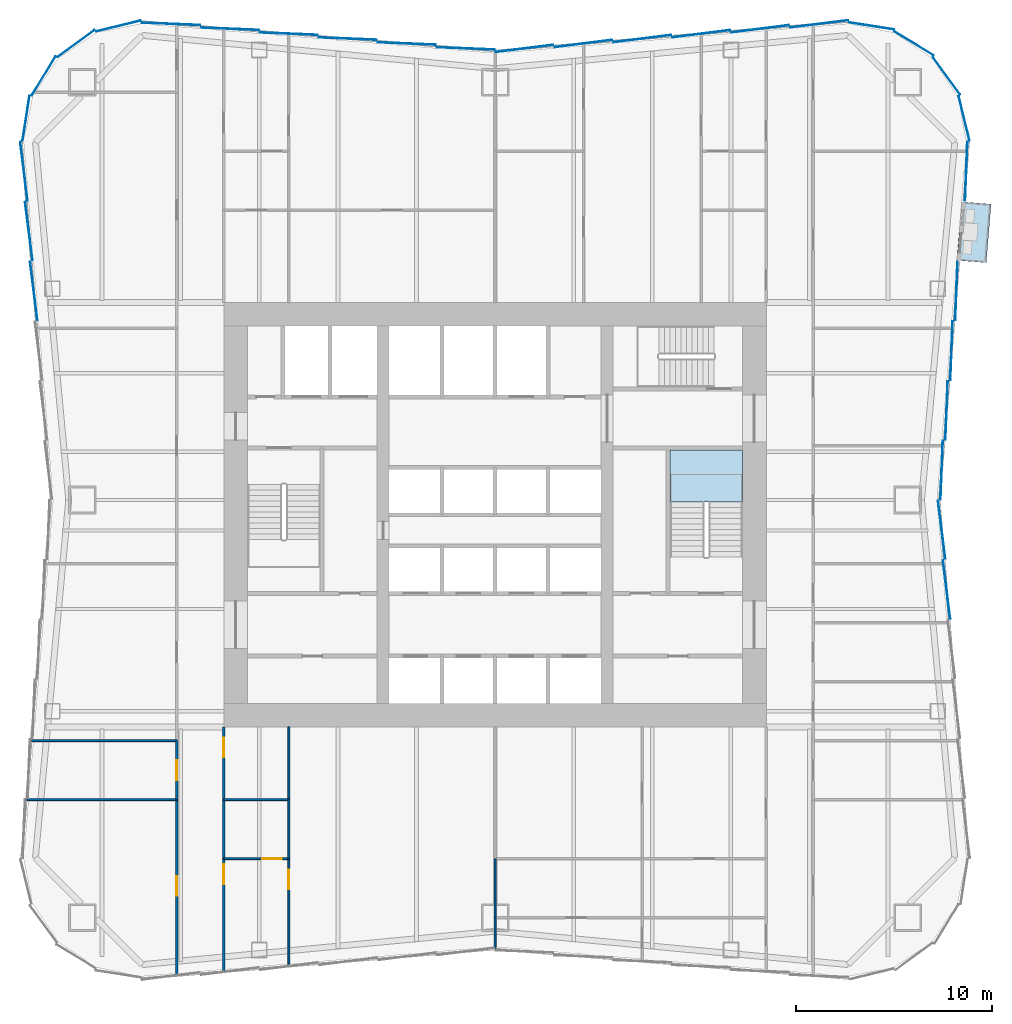
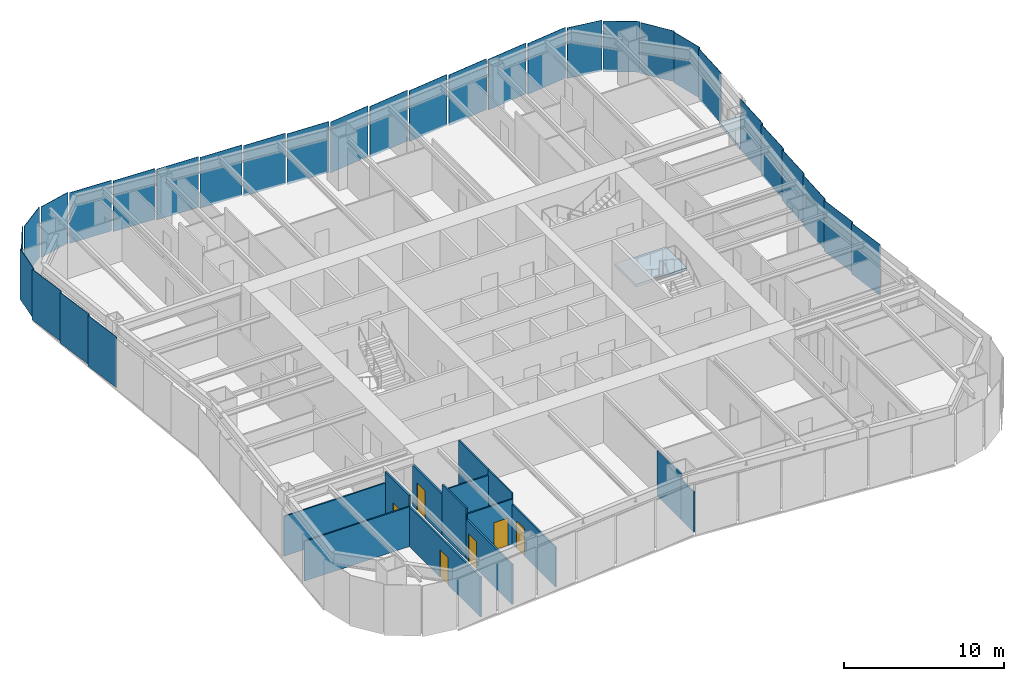
# One storey, part 3 of 9: 30 plates, 14 walls, 6 doors, 2 slabs, 6 openings, 6 elements without a shape of their own.
"""IFC4 building model written with IfcOpenShell, lengths in metres."""

from ifc_helpers import new_model, si_unit, direction, frame, frame_2d, origin, origin_2d, place, context, subcontext, project, spatial, polyline, rectangle, outline, extrude, material, layer, layer_set, type_object, element, fill, aggregate, save


model = new_model("IFC4")

# Units and contexts
model_context = context("Model", 3, precision=1e-05, world=origin(), true_north=direction((0.0, 1.0)))
body_context = subcontext(model_context, "Body", "Model", "MODEL_VIEW")
ifc_project = project(units=[si_unit("LENGTHUNIT", "METRE"), si_unit("AREAUNIT", "SQUARE_METRE"), si_unit("VOLUMEUNIT", "CUBIC_METRE"), si_unit("PLANEANGLEUNIT", "RADIAN"), si_unit("MASSUNIT", "GRAM", prefix="KILO")], contexts=[model_context])

# Site, building, storey
site_placement = place(None, origin())
site = spatial("IfcSite", under=ifc_project, at=site_placement, CompositionType="ELEMENT")
building_placement = place(site_placement, origin())
building = spatial("IfcBuilding", under=site, at=building_placement, Name="Verdant Reach Tower", CompositionType="ELEMENT")
storey_placement = place(building_placement, frame((0.0, 0.0, 86.0)))
storey = spatial("IfcBuildingStorey", under=building, at=storey_placement, Name="L19", CompositionType="ELEMENT", Elevation=86.0)

# Stair, slab
ifc_material_1 = material(Name="Concrete C40/50", Category="concrete")
stair_type = type_object("IfcStairType", Name="CO-STAIR", PredefinedType="HALF_TURN_STAIR", material=ifc_material_1)
stair_placement = place(storey_placement, origin())
stair = element("IfcStair", 1, at=stair_placement, inside=storey, type_object=stair_type, Name="L19 Exit stair 2", PredefinedType="HALF_TURN_STAIR")
ifc_layer_1 = layer(ifc_material_1, 0.199951171875)
ifc_layer_set_1 = layer_set([ifc_layer_1], Name="CO-STAIR-LANDING")
slab_type_1 = type_object("IfcSlabType", Name="CO-STAIR-LANDING", PredefinedType="LANDING", material=ifc_layer_set_1)
slab_1_placement = place(storey_placement, frame((0.0, 0.0, 1.800048828125)))
slab_1 = element("IfcSlab", 2, at=slab_1_placement, type_object=slab_type_1, Name="ST-2 landing 1", PredefinedType="LANDING", context=body_context, shape_type="SweptSolid", body=[
    extrude(outline(polyline([(12.60009765625, 28.64990234375), (12.60009765625, 31.300048828125), (8.89990234375, 31.300048828125), (8.89990234375, 28.64990234375), (12.60009765625, 28.64990234375)])), origin(), (0.0, 0.0, 1.0), 0.199951171875),
])
aggregate(stair, [slab_1])

# Slab
ifc_material_2 = material(Name="Concrete C35/45", Category="concrete")
ifc_layer_2 = layer(ifc_material_2, 0.25)
ifc_layer_set_2 = layer_set([ifc_layer_2], Name="EN-BALCONY SLAB")
slab_type_2 = type_object("IfcSlabType", Name="EN-BALCONY SLAB", PredefinedType="FLOOR", material=ifc_layer_set_2)
slab_2_placement = place(storey_placement, frame((0.0, 0.0, -0.25)))
element("IfcSlab", 3, at=slab_2_placement, inside=storey, type_object=slab_type_2, Name="Balcony slab 1, L19", PredefinedType="FLOOR", context=body_context, shape_type="SweptSolid", body=[
    extrude(outline(polyline([(23.50244140625, 40.947509765625), (23.74755859375, 43.927490234375), (25.242431640625, 43.804443359375), (24.99755859375, 40.82470703125), (23.50244140625, 40.947509765625)])), origin(), (0.0, 0.0, 1.0), 0.25),
])

# Curtain wall, plates
ifc_material_3 = material(Name="Anodised aluminium", Category="aluminium")
curtain_wall_type = type_object("IfcCurtainWallType", Name="EN-CW SYSTEM Z1", PredefinedType="NOTDEFINED", material=ifc_material_3)
curtain_wall_1_placement = place(storey_placement, origin())
curtain_wall_1 = element("IfcCurtainWall", 4, at=curtain_wall_1_placement, inside=storey, type_object=curtain_wall_type, Name="Curtain wall east, L19", PredefinedType="NOTDEFINED")
ifc_material_4 = material(Name="Tinted glass with champagne spandrel", Category="glass")
ifc_layer_3 = layer(ifc_material_4, 0.031982421875)
ifc_layer_set_3 = layer_set([ifc_layer_3], Name="EN-PANEL CHAMPAGNE")
plate_type_1 = type_object("IfcPlateType", Name="EN-PANEL CHAMPAGNE", PredefinedType="CURTAIN_PANEL", material=ifc_layer_set_3)
plate_1_placement = place(storey_placement, frame((22.9775390625, 24.196044921875, -0.22802734375), z_axis=(0.0, 0.0, 1.0), x_axis=(-0.123578623975, 0.992334784081, 0.0)))
plate_1 = element("IfcPlate", 5, at=plate_1_placement, type_object=plate_type_1, Name="Glass panel east face part 1 5.1, L19", PredefinedType="CURTAIN_PANEL", context=body_context, shape_type="SweptSolid", body=[
    extrude(rectangle(XDim=2.993896484375, YDim=0.031982421875, at=origin_2d()), origin(), (0.0, 0.0, 1.0), 3.8779296875),
])
plate_2_placement = place(storey_placement, frame((22.727783203125, 27.2333984375, -0.22802734375), z_axis=(0.0, 0.0, 1.0), x_axis=(-0.123691487663, 0.992320722287, 0.0)))
plate_2 = element("IfcPlate", 6, at=plate_2_placement, type_object=plate_type_1, Name="Glass panel east face part 1 6.1, L19", PredefinedType="CURTAIN_PANEL", context=body_context, shape_type="SweptSolid", body=[
    extrude(rectangle(XDim=2.985595703125, YDim=0.031982421875, at=origin_2d()), origin(), (0.0, 0.0, 1.0), 3.8779296875),
])
plate_3_placement = place(storey_placement, frame((23.977783203125, 45.477783203125, -0.22802734375), z_axis=(0.0, 0.0, 1.0), x_axis=(0.039784239139, 0.999208293759, 0.0)))
plate_3 = element("IfcPlate", 7, at=plate_3_placement, type_object=plate_type_1, Name="Glass panel east face part 2 6.1, L19", PredefinedType="CURTAIN_PANEL", context=body_context, shape_type="SweptSolid", body=[
    extrude(rectangle(XDim=3.00830078125, YDim=0.031982421875, at=origin_2d()), origin(), (0.0, 0.0, 1.0), 3.8779296875),
])

curtain_wall_2_placement = place(storey_placement, origin())
curtain_wall_2 = element("IfcCurtainWall", 8, at=curtain_wall_2_placement, inside=storey, type_object=curtain_wall_type, Name="Curtain wall north, L19", PredefinedType="NOTDEFINED")
plate_4_placement = place(storey_placement, frame((10.491455078125, 52.4775390625, -0.22802734375), z_axis=(0.0, 0.0, 1.0), x_axis=(-0.992194034542, -0.124703639961, 0.0)))
plate_4 = element("IfcPlate", 9, at=plate_4_placement, type_object=plate_type_1, Name="Glass panel north face part 1 3.1, L19", PredefinedType="CURTAIN_PANEL", context=body_context, shape_type="SweptSolid", body=[
    extrude(rectangle(XDim=2.952392578125, YDim=0.031982421875, at=origin_2d()), origin(), (0.0, 0.0, 1.0), 3.8779296875),
])
plate_5_placement = place(storey_placement, frame((7.491455078125, 52.2275390625, -0.22802734375), z_axis=(0.0, 0.0, 1.0), x_axis=(-0.992194034542, -0.124703639961, 0.0)))
plate_5 = element("IfcPlate", 10, at=plate_5_placement, type_object=plate_type_1, Name="Glass panel north face part 1 4.1, L19", PredefinedType="CURTAIN_PANEL", context=body_context, shape_type="SweptSolid", body=[
    extrude(rectangle(XDim=2.952392578125, YDim=0.031982421875, at=origin_2d()), origin(), (0.0, 0.0, 1.0), 3.8779296875),
])
plate_6_placement = place(storey_placement, frame((4.491455078125, 51.9775390625, -0.22802734375), z_axis=(0.0, 0.0, 1.0), x_axis=(-0.992194034542, -0.124703639961, 0.0)))
plate_6 = element("IfcPlate", 11, at=plate_6_placement, type_object=plate_type_1, Name="Glass panel north face part 1 5.1, L19", PredefinedType="CURTAIN_PANEL", context=body_context, shape_type="SweptSolid", body=[
    extrude(rectangle(XDim=2.952392578125, YDim=0.031982421875, at=origin_2d()), origin(), (0.0, 0.0, 1.0), 3.8779296875),
])
plate_7_placement = place(storey_placement, frame((-13.491455078125, 52.7275390625, -0.22802734375), z_axis=(0.0, 0.0, 1.0), x_axis=(-0.999149202059, 0.041241629766, 0.0)))
plate_7 = element("IfcPlate", 12, at=plate_7_placement, type_object=plate_type_1, Name="Glass panel north face part 2 5.1, L19", PredefinedType="CURTAIN_PANEL", context=body_context, shape_type="SweptSolid", body=[
    extrude(rectangle(XDim=2.952392578125, YDim=0.031982421875, at=origin_2d()), origin(), (0.0, 0.0, 1.0), 3.8779296875),
])
plate_8_placement = place(storey_placement, frame((-16.49853515625, 52.977783203125, -0.22802734375), z_axis=(0.0, 0.0, 1.0), x_axis=(-0.999162836679, 0.040909971885, 0.0)))
plate_8 = element("IfcPlate", 13, at=plate_8_placement, type_object=plate_type_1, Name="Glass panel north face part 2 6.1, L19", PredefinedType="CURTAIN_PANEL", context=body_context, shape_type="SweptSolid", body=[
    extrude(rectangle(XDim=2.966796875, YDim=0.031982421875, at=origin_2d()), origin(), (0.0, 0.0, 1.0), 3.8779296875),
])

curtain_wall_3_placement = place(storey_placement, origin())
curtain_wall_3 = element("IfcCurtainWall", 14, at=curtain_wall_3_placement, inside=storey, type_object=curtain_wall_type, Name="Curtain wall north-west corner, L19", PredefinedType="NOTDEFINED")
plate_9_placement = place(storey_placement, frame((-22.97705078125, 50.325439453125, -0.22802734375), z_axis=(0.0, 0.0, 1.0), x_axis=(-0.520291572248, -0.85398868836, 0.0)))
plate_9 = element("IfcPlate", 15, at=plate_9_placement, type_object=plate_type_1, Name="Glass panel north-west corner 3.1, L19", PredefinedType="CURTAIN_PANEL", context=body_context, shape_type="SweptSolid", body=[
    extrude(rectangle(XDim=2.3232421875, YDim=0.031982421875, at=origin_2d()), origin(), (0.0, 0.0, 1.0), 3.8779296875),
])
plate_10_placement = place(storey_placement, frame((-23.87060546875, 48.170654296875, -0.22802734375), z_axis=(0.0, 0.0, 1.0), x_axis=(-0.154247912016, -0.988032176419, 0.0)))
plate_10 = element("IfcPlate", 16, at=plate_10_placement, type_object=plate_type_1, Name="Glass panel north-west corner 4.1, L19", PredefinedType="CURTAIN_PANEL", context=body_context, shape_type="SweptSolid", body=[
    extrude(rectangle(XDim=2.3173828125, YDim=0.031982421875, at=origin_2d()), origin(), (0.0, 0.0, 1.0), 3.8779296875),
])

curtain_wall_4_placement = place(storey_placement, origin())
curtain_wall_4 = element("IfcCurtainWall", 17, at=curtain_wall_4_placement, inside=storey, type_object=curtain_wall_type, Name="Curtain wall west, L19", PredefinedType="NOTDEFINED")
plate_11_placement = place(storey_placement, frame((-23.977783203125, 45.477783203125, -0.22802734375), z_axis=(0.0, 0.0, 1.0), x_axis=(0.123256305275, -0.992374870304, 0.0)))
plate_11 = element("IfcPlate", 18, at=plate_11_placement, type_object=plate_type_1, Name="Glass panel west face part 1 1.1, L19", PredefinedType="CURTAIN_PANEL", context=body_context, shape_type="SweptSolid", body=[
    extrude(rectangle(XDim=3.00830078125, YDim=0.031982421875, at=origin_2d()), origin(), (0.0, 0.0, 1.0), 3.8779296875),
])
plate_12_placement = place(storey_placement, frame((-23.7275390625, 42.428955078125, -0.22802734375), z_axis=(0.0, 0.0, 1.0), x_axis=(0.123578623975, -0.992334784081, 0.0)))
plate_12 = element("IfcPlate", 19, at=plate_12_placement, type_object=plate_type_1, Name="Glass panel west face part 1 2.1, L19", PredefinedType="CURTAIN_PANEL", context=body_context, shape_type="SweptSolid", body=[
    extrude(rectangle(XDim=2.993896484375, YDim=0.031982421875, at=origin_2d()), origin(), (0.0, 0.0, 1.0), 3.8779296875),
])
plate_13_placement = place(storey_placement, frame((-23.4775390625, 39.387451171875, -0.22802734375), z_axis=(0.0, 0.0, 1.0), x_axis=(0.123578623975, -0.992334784081, 0.0)))
plate_13 = element("IfcPlate", 20, at=plate_13_placement, type_object=plate_type_1, Name="Glass panel west face part 1 3.1, L19", PredefinedType="CURTAIN_PANEL", context=body_context, shape_type="SweptSolid", body=[
    extrude(rectangle(XDim=2.993896484375, YDim=0.031982421875, at=origin_2d()), origin(), (0.0, 0.0, 1.0), 3.8779296875),
])
aggregate(curtain_wall_4, [plate_11, plate_12, plate_13])

# Plate
ifc_material_5 = material(Name="Tinted glass with copper spandrel", Category="glass")
ifc_layer_4 = layer(ifc_material_5, 0.031982421875)
ifc_layer_set_4 = layer_set([ifc_layer_4], Name="EN-PANEL COPPER")
plate_type_2 = type_object("IfcPlateType", Name="EN-PANEL COPPER", PredefinedType="CURTAIN_PANEL", material=ifc_layer_set_4)
plate_14_placement = place(storey_placement, frame((22.727783203125, 30.2666015625, -0.22802734375), z_axis=(0.0, 0.0, 1.0), x_axis=(0.040222426271, 0.99919075077, 0.0)))
plate_14 = element("IfcPlate", 21, at=plate_14_placement, type_object=plate_type_2, Name="Glass panel east face part 2 1.1, L19", PredefinedType="CURTAIN_PANEL", context=body_context, shape_type="SweptSolid", body=[
    extrude(rectangle(XDim=2.985595703125, YDim=0.031982421875, at=origin_2d()), origin(), (0.0, 0.0, 1.0), 3.8779296875),
])

plate_15_placement = place(storey_placement, frame((22.9775390625, 33.303955078125, -0.22802734375), z_axis=(0.0, 0.0, 1.0), x_axis=(0.040108781752, 0.999195319057, 0.0)))
plate_15 = element("IfcPlate", 22, at=plate_15_placement, type_object=plate_type_2, Name="Glass panel east face part 2 2.1, L19", PredefinedType="CURTAIN_PANEL", context=body_context, shape_type="SweptSolid", body=[
    extrude(rectangle(XDim=2.993896484375, YDim=0.031982421875, at=origin_2d()), origin(), (0.0, 0.0, 1.0), 3.8779296875),
])

plate_16_placement = place(storey_placement, frame((23.2275390625, 36.345703125, -0.22802734375), z_axis=(0.0, 0.0, 1.0), x_axis=(0.040108781752, 0.999195319057, 0.0)))
plate_16 = element("IfcPlate", 23, at=plate_16_placement, type_object=plate_type_2, Name="Glass panel east face part 2 3.1, L19", PredefinedType="CURTAIN_PANEL", context=body_context, shape_type="SweptSolid", body=[
    extrude(rectangle(XDim=2.993896484375, YDim=0.031982421875, at=origin_2d()), origin(), (0.0, 0.0, 1.0), 3.8779296875),
])

# Curtain wall, plate
curtain_wall_5_placement = place(storey_placement, origin())
curtain_wall_5 = element("IfcCurtainWall", 24, at=curtain_wall_5_placement, inside=storey, type_object=curtain_wall_type, Name="Curtain wall north-east corner, L19", PredefinedType="NOTDEFINED")
plate_17_placement = place(storey_placement, frame((23.87060546875, 48.170654296875, -0.22802734375), z_axis=(0.0, 0.0, 1.0), x_axis=(-0.236383344544, 0.971659875894, 0.0)))
plate_17 = element("IfcPlate", 25, at=plate_17_placement, type_object=plate_type_2, Name="Glass panel north-east corner 1.1, L19", PredefinedType="CURTAIN_PANEL", context=body_context, shape_type="SweptSolid", body=[
    extrude(rectangle(XDim=2.3173828125, YDim=0.031982421875, at=origin_2d()), origin(), (0.0, 0.0, 1.0), 3.8779296875),
])

# Plate
plate_18_placement = place(storey_placement, frame((1.49560546875, 51.727783203125, -0.22802734375), z_axis=(0.0, 0.0, 1.0), x_axis=(-0.992179247355, -0.124821236644, 0.0)))
plate_18 = element("IfcPlate", 26, at=plate_18_placement, type_object=plate_type_2, Name="Glass panel north face part 1 6.1, L19", PredefinedType="CURTAIN_PANEL", context=body_context, shape_type="SweptSolid", body=[
    extrude(rectangle(XDim=2.94384765625, YDim=0.031982421875, at=origin_2d()), origin(), (0.0, 0.0, 1.0), 3.8779296875),
])

plate_19_placement = place(storey_placement, frame((-1.49560546875, 51.727783203125, -0.22802734375), z_axis=(0.0, 0.0, 1.0), x_axis=(-0.99914430697, 0.041360051381, 0.0)))
plate_19 = element("IfcPlate", 27, at=plate_19_placement, type_object=plate_type_2, Name="Glass panel north face part 2 1.1, L19", PredefinedType="CURTAIN_PANEL", context=body_context, shape_type="SweptSolid", body=[
    extrude(rectangle(XDim=2.94384765625, YDim=0.031982421875, at=origin_2d()), origin(), (0.0, 0.0, 1.0), 3.8779296875),
])

ifc_material_6 = material(Name="Tinted glass with dark bronze spandrel", Category="glass")
ifc_layer_5 = layer(ifc_material_6, 0.031982421875)
ifc_layer_set_5 = layer_set([ifc_layer_5], Name="EN-PANEL DARK")
plate_type_3 = type_object("IfcPlateType", Name="EN-PANEL DARK", PredefinedType="CURTAIN_PANEL", material=ifc_layer_set_5)
plate_20_placement = place(storey_placement, frame((23.4775390625, 39.387451171875, -0.22802734375), z_axis=(0.0, 0.0, 1.0), x_axis=(0.040108781752, 0.999195319057, 0.0)))
plate_20 = element("IfcPlate", 28, at=plate_20_placement, type_object=plate_type_3, Name="Glass panel east face part 2 4.1, L19", PredefinedType="CURTAIN_PANEL", context=body_context, shape_type="SweptSolid", body=[
    extrude(rectangle(XDim=2.993896484375, YDim=0.031982421875, at=origin_2d()), origin(), (0.0, 0.0, 1.0), 3.8779296875),
])

aggregate(curtain_wall_1, [plate_1, plate_2, plate_14, plate_15, plate_16, plate_20, plate_3])

plate_21_placement = place(storey_placement, frame((22.97705078125, 50.325439453125, -0.22802734375), z_axis=(0.0, 0.0, 1.0), x_axis=(-0.589926768145, 0.807456753161, 0.0)))
plate_21 = element("IfcPlate", 29, at=plate_21_placement, type_object=plate_type_3, Name="Glass panel north-east corner 2.1, L19", PredefinedType="CURTAIN_PANEL", context=body_context, shape_type="SweptSolid", body=[
    extrude(rectangle(XDim=2.3232421875, YDim=0.031982421875, at=origin_2d()), origin(), (0.0, 0.0, 1.0), 3.8779296875),
])

plate_22_placement = place(storey_placement, frame((21.325439453125, 51.97705078125, -0.22802734375), z_axis=(0.0, 0.0, 1.0), x_axis=(-0.85398868836, 0.520291572248, 0.0)))
plate_22 = element("IfcPlate", 30, at=plate_22_placement, type_object=plate_type_3, Name="Glass panel north-east corner 3.1, L19", PredefinedType="CURTAIN_PANEL", context=body_context, shape_type="SweptSolid", body=[
    extrude(rectangle(XDim=2.3232421875, YDim=0.031982421875, at=origin_2d()), origin(), (0.0, 0.0, 1.0), 3.8779296875),
])

plate_23_placement = place(storey_placement, frame((19.170654296875, 52.87060546875, -0.22802734375), z_axis=(0.0, 0.0, 1.0), x_axis=(-0.988032704995, 0.154244526195, 0.0)))
plate_23 = element("IfcPlate", 31, at=plate_23_placement, type_object=plate_type_3, Name="Glass panel north-east corner 4.1, L19", PredefinedType="CURTAIN_PANEL", context=body_context, shape_type="SweptSolid", body=[
    extrude(rectangle(XDim=2.317626953125, YDim=0.031982421875, at=origin_2d()), origin(), (0.0, 0.0, 1.0), 3.8779296875),
])

aggregate(curtain_wall_5, [plate_17, plate_21, plate_22, plate_23])

plate_24_placement = place(storey_placement, frame((16.49853515625, 52.977783203125, -0.22802734375), z_axis=(0.0, 0.0, 1.0), x_axis=(-0.99223537376, -0.124374286167, 0.0)))
plate_24 = element("IfcPlate", 32, at=plate_24_placement, type_object=plate_type_3, Name="Glass panel north face part 1 1.1, L19", PredefinedType="CURTAIN_PANEL", context=body_context, shape_type="SweptSolid", body=[
    extrude(rectangle(XDim=2.966796875, YDim=0.031982421875, at=origin_2d()), origin(), (0.0, 0.0, 1.0), 3.8779296875),
])

plate_25_placement = place(storey_placement, frame((13.491455078125, 52.7275390625, -0.22802734375), z_axis=(0.0, 0.0, 1.0), x_axis=(-0.992194034542, -0.124703639961, 0.0)))
plate_25 = element("IfcPlate", 33, at=plate_25_placement, type_object=plate_type_3, Name="Glass panel north face part 1 2.1, L19", PredefinedType="CURTAIN_PANEL", context=body_context, shape_type="SweptSolid", body=[
    extrude(rectangle(XDim=2.952392578125, YDim=0.031982421875, at=origin_2d()), origin(), (0.0, 0.0, 1.0), 3.8779296875),
])

plate_26_placement = place(storey_placement, frame((-4.491455078125, 51.9775390625, -0.22802734375), z_axis=(0.0, 0.0, 1.0), x_axis=(-0.999149202059, 0.041241629766, 0.0)))
plate_26 = element("IfcPlate", 34, at=plate_26_placement, type_object=plate_type_3, Name="Glass panel north face part 2 2.1, L19", PredefinedType="CURTAIN_PANEL", context=body_context, shape_type="SweptSolid", body=[
    extrude(rectangle(XDim=2.952392578125, YDim=0.031982421875, at=origin_2d()), origin(), (0.0, 0.0, 1.0), 3.8779296875),
])

plate_27_placement = place(storey_placement, frame((-7.491455078125, 52.2275390625, -0.22802734375), z_axis=(0.0, 0.0, 1.0), x_axis=(-0.999149202059, 0.041241629766, 0.0)))
plate_27 = element("IfcPlate", 35, at=plate_27_placement, type_object=plate_type_3, Name="Glass panel north face part 2 3.1, L19", PredefinedType="CURTAIN_PANEL", context=body_context, shape_type="SweptSolid", body=[
    extrude(rectangle(XDim=2.952392578125, YDim=0.031982421875, at=origin_2d()), origin(), (0.0, 0.0, 1.0), 3.8779296875),
])

plate_28_placement = place(storey_placement, frame((-10.491455078125, 52.4775390625, -0.22802734375), z_axis=(0.0, 0.0, 1.0), x_axis=(-0.999149202059, 0.041241629766, 0.0)))
plate_28 = element("IfcPlate", 36, at=plate_28_placement, type_object=plate_type_3, Name="Glass panel north face part 2 4.1, L19", PredefinedType="CURTAIN_PANEL", context=body_context, shape_type="SweptSolid", body=[
    extrude(rectangle(XDim=2.952392578125, YDim=0.031982421875, at=origin_2d()), origin(), (0.0, 0.0, 1.0), 3.8779296875),
])

aggregate(curtain_wall_2, [plate_24, plate_25, plate_4, plate_5, plate_6, plate_18, plate_19, plate_26, plate_27, plate_28, plate_7, plate_8])

plate_29_placement = place(storey_placement, frame((-19.170654296875, 52.87060546875, -0.22802734375), z_axis=(0.0, 0.0, 1.0), x_axis=(-0.971660685934, -0.236380014828, 0.0)))
plate_29 = element("IfcPlate", 37, at=plate_29_placement, type_object=plate_type_3, Name="Glass panel north-west corner 1.1, L19", PredefinedType="CURTAIN_PANEL", context=body_context, shape_type="SweptSolid", body=[
    extrude(rectangle(XDim=2.317626953125, YDim=0.031982421875, at=origin_2d()), origin(), (0.0, 0.0, 1.0), 3.8779296875),
])

plate_30_placement = place(storey_placement, frame((-21.325439453125, 51.97705078125, -0.22802734375), z_axis=(0.0, 0.0, 1.0), x_axis=(-0.807456753161, -0.589926768145, 0.0)))
plate_30 = element("IfcPlate", 38, at=plate_30_placement, type_object=plate_type_3, Name="Glass panel north-west corner 2.1, L19", PredefinedType="CURTAIN_PANEL", context=body_context, shape_type="SweptSolid", body=[
    extrude(rectangle(XDim=2.3232421875, YDim=0.031982421875, at=origin_2d()), origin(), (0.0, 0.0, 1.0), 3.8779296875),
])

aggregate(curtain_wall_3, [plate_29, plate_30, plate_9, plate_10])

# Walls
ifc_material_7 = material(Name="Gypsum board on steel studs", Category="steel")
ifc_layer_6 = layer(ifc_material_7, 0.10009765625)
ifc_layer_set_6 = layer_set([ifc_layer_6], Name="FL-W1 Partition 100")
wall_type_1 = type_object("IfcWallType", Name="FL-W1 Partition 100", PredefinedType="PARTITIONING", material=ifc_layer_set_6)
wall_1_placement = place(storey_placement, frame((-16.199951171875, 13.5, 0.0), z_axis=(0.0, 0.0, 1.0), x_axis=(-1.0, 0.0, 0.0)))
element("IfcWall", 39, at=wall_1_placement, inside=storey, type_object=wall_type_1, Name="Partition 19.28", PredefinedType="PARTITIONING", context=body_context, shape_type="SweptSolid", body=[
    extrude(rectangle(XDim=7.633544921875, YDim=0.10009765625, at=frame_2d((3.81689453125, 0.0))), origin(), (0.0, 0.0, 1.0), 3.0400390625),
])
wall_2_placement = place(storey_placement, frame((-16.199951171875, 16.5, 0.0), z_axis=(0.0, 0.0, 1.0), x_axis=(-1.0, 0.0, 0.0)))
element("IfcWall", 40, at=wall_2_placement, inside=storey, type_object=wall_type_1, Name="Partition 19.29", PredefinedType="PARTITIONING", context=body_context, shape_type="SweptSolid", body=[
    extrude(rectangle(XDim=7.386962890625, YDim=0.10009765625, at=frame_2d((3.693359375, 0.0))), origin(), (0.0, 0.0, 1.0), 3.0400390625),
])

# Wall, opening, door
wall_3_placement = place(storey_placement, frame((-13.800048828125, 10.5, 0.0), z_axis=(0.0, 0.0, 1.0), x_axis=(1.0, 0.0, 0.0)))
wall_3 = element("IfcWall", 41, at=wall_3_placement, inside=storey, type_object=wall_type_1, Name="Partition 19.41", PredefinedType="PARTITIONING", context=body_context, shape_type="SweptSolid", body=[
    extrude(rectangle(XDim=3.300048828125, YDim=0.10009765625, at=frame_2d((1.64990234375, 0.0))), origin(), (0.0, 0.0, 1.0), 3.43994140625),
])
opening_1_placement = place(wall_3_placement, frame((1.949951171875, 0.0, 0.0)))
opening_1 = element("IfcOpeningElement", 42, at=opening_1_placement, cuts=wall_3, Name="Opening D3", PredefinedType="OPENING", context=body_context, shape_type="SweptSolid", body=[
    extrude(rectangle(XDim=1.0, YDim=2.10009765625, at=frame_2d((0.5, 1.050048828125))), frame((0.0, 0.06005859375, 0.0), z_axis=(0.0, -1.0, 0.0), x_axis=(1.0, 0.0, 0.0)), (0.0, 0.0, 1.0), 0.1201171875),
])
ifc_material_8 = material(Name="Painted timber door leaf", Category="wood")
door_type_1 = type_object("IfcDoorType", Name="FL-D3 Door 1000x2100", OperationType="NOTDEFINED", PredefinedType="DOOR", material=ifc_material_8)
door_1_placement = place(opening_1_placement, origin())
door_1 = element("IfcDoor", 43, at=door_1_placement, inside=storey, type_object=door_type_1, Name="Door 19-023", OperationType="SINGLE_SWING_RIGHT", OverallHeight=2.10009765625, OverallWidth=1.0, PredefinedType="DOOR", context=body_context, shape_type="SweptSolid", body=[
    extrude(rectangle(XDim=1.0, YDim=2.10009765625, at=frame_2d((0.5, 1.050048828125))), frame((0.0, 0.02490234375, 0.0), z_axis=(0.0, -1.0, 0.0), x_axis=(1.0, 0.0, 0.0)), (0.0, 0.0, 1.0), 0.050048828125),
])
fill(opening_1, door_1)

wall_4_placement = place(storey_placement, frame((-10.5, 10.50390625, 0.0), z_axis=(0.0, 0.0, 1.0), x_axis=(0.0, -1.0, 0.0)))
wall_4 = element("IfcWall", 44, at=wall_4_placement, inside=storey, type_object=wall_type_1, Name="Partition 19.42", PredefinedType="PARTITIONING", context=body_context, shape_type="SweptSolid", body=[
    extrude(rectangle(XDim=5.458984375, YDim=0.10009765625, at=frame_2d((2.7294921875, 0.0))), origin(), (0.0, 0.0, 1.0), 3.0400390625),
])
opening_2_placement = place(wall_4_placement, frame((0.564453125, 0.0, 0.0)))
opening_2 = element("IfcOpeningElement", 45, at=opening_2_placement, cuts=wall_4, Name="Opening D3", PredefinedType="OPENING", context=body_context, shape_type="SweptSolid", body=[
    extrude(rectangle(XDim=1.0, YDim=2.10009765625, at=frame_2d((0.5, 1.050048828125))), frame((0.0, 0.06005859375, 0.0), z_axis=(0.0, -1.0, 0.0), x_axis=(1.0, 0.0, 0.0)), (0.0, 0.0, 1.0), 0.1201171875),
])
door_2_placement = place(opening_2_placement, origin())
door_2 = element("IfcDoor", 46, at=door_2_placement, inside=storey, type_object=door_type_1, Name="Door 19-024", OperationType="SINGLE_SWING_LEFT", OverallHeight=2.10009765625, OverallWidth=1.0, PredefinedType="DOOR", context=body_context, shape_type="SweptSolid", body=[
    extrude(rectangle(XDim=1.0, YDim=2.10009765625, at=frame_2d((0.5, 1.050048828125))), frame((0.0, 0.02490234375, 0.0), z_axis=(0.0, -1.0, 0.0), x_axis=(1.0, 0.0, 0.0)), (0.0, 0.0, 1.0), 0.050048828125),
])
fill(opening_2, door_2)

# Walls
wall_5_placement = place(storey_placement, frame((-10.5, 13.5, 0.0), z_axis=(0.0, 0.0, 1.0), x_axis=(-1.0, 0.0, 0.0)))
element("IfcWall", 47, at=wall_5_placement, inside=storey, type_object=wall_type_1, Name="Partition 19.43", PredefinedType="PARTITIONING", context=body_context, shape_type="SweptSolid", body=[
    extrude(rectangle(XDim=3.300048828125, YDim=0.10009765625, at=frame_2d((1.64990234375, 0.0))), origin(), (0.0, 0.0, 1.0), 3.43994140625),
])
wall_6_placement = place(storey_placement, frame((-10.5, 10.49609375, 0.0), z_axis=(0.0, 0.0, 1.0), x_axis=(0.0, 1.0, 0.0)))
element("IfcWall", 48, at=wall_6_placement, inside=storey, type_object=wall_type_1, Name="Partition 19.44", PredefinedType="PARTITIONING", context=body_context, shape_type="SweptSolid", body=[
    extrude(rectangle(XDim=3.0078125, YDim=0.10009765625, at=frame_2d((1.50390625, 0.0))), origin(), (0.0, 0.0, 1.0), 3.8701171875),
])
wall_7_placement = place(storey_placement, frame((-10.5, 13.49609375, 0.0), z_axis=(0.0, 0.0, 1.0), x_axis=(0.0, 1.0, 0.0)))
element("IfcWall", 49, at=wall_7_placement, inside=storey, type_object=wall_type_1, Name="Partition 19.45", PredefinedType="PARTITIONING", context=body_context, shape_type="SweptSolid", body=[
    extrude(rectangle(XDim=3.703857421875, YDim=0.10009765625, at=frame_2d((1.85205078125, 0.0))), origin(), (0.0, 0.0, 1.0), 3.8701171875),
])
wall_8_placement = place(storey_placement, frame((0.0, 5.919921875, 0.0), z_axis=(0.0, 0.0, 1.0), x_axis=(0.0, 1.0, 0.0)))
element("IfcWall", 50, at=wall_8_placement, inside=storey, type_object=wall_type_1, Name="Partition 19.46", PredefinedType="PARTITIONING", context=body_context, shape_type="SweptSolid", body=[
    extrude(rectangle(XDim=1.580078125, YDim=0.10009765625, at=frame_2d((0.7900390625, 0.0))), origin(), (0.0, 0.0, 1.0), 3.0400390625),
])
wall_9_placement = place(storey_placement, frame((0.0, 7.5, 0.0), z_axis=(0.0, 0.0, 1.0), x_axis=(0.0, 1.0, 0.0)))
element("IfcWall", 51, at=wall_9_placement, inside=storey, type_object=wall_type_1, Name="Partition 19.47", PredefinedType="PARTITIONING", context=body_context, shape_type="SweptSolid", body=[
    extrude(rectangle(XDim=3.0, YDim=0.10009765625, at=frame_2d((1.5, 0.0))), origin(), (0.0, 0.0, 1.0), 3.47998046875),
])

# Wall, opening, door
ifc_material_9 = material(Name="Gypsum board on steel studs, fire rated", Category="steel")
ifc_layer_7 = layer(ifc_material_9, 0.125)
ifc_layer_set_7 = layer_set([ifc_layer_7], Name="FL-W2 Corridor wall 125")
wall_type_2 = type_object("IfcWallType", Name="FL-W2 Corridor wall 125", PredefinedType="PARTITIONING", material=ifc_layer_set_7)
wall_10_placement = place(storey_placement, frame((-16.199951171875, 4.570068359375, 0.0), z_axis=(0.0, 0.0, 1.0), x_axis=(0.0, 1.0, 0.0)))
wall_10 = element("IfcWall", 52, at=wall_10_placement, inside=storey, type_object=wall_type_2, Name="Partition 19.01", PredefinedType="PARTITIONING", context=body_context, shape_type="SweptSolid", body=[
    extrude(rectangle(XDim=8.929931640625, YDim=0.125, at=frame_2d((4.46484375, 0.0))), origin(), (0.0, 0.0, 1.0), 3.0400390625),
])
opening_3_placement = place(wall_10_placement, frame((4.030029296875, 0.0, 0.0)))
opening_3 = element("IfcOpeningElement", 53, at=opening_3_placement, cuts=wall_10, Name="Opening D2", PredefinedType="OPENING", context=body_context, shape_type="SweptSolid", body=[
    extrude(rectangle(XDim=1.0, YDim=2.10009765625, at=frame_2d((0.5, 1.050048828125))), frame((0.0, 0.072509765625, 0.0), z_axis=(0.0, -1.0, 0.0), x_axis=(1.0, 0.0, 0.0)), (0.0, 0.0, 1.0), 0.14501953125),
])
ifc_material_10 = material(Name="Timber door leaf, fire rated", Category="wood")
door_type_2 = type_object("IfcDoorType", Name="FL-D2 Entrance door 1000x2100 FD30", OperationType="NOTDEFINED", PredefinedType="DOOR", material=ifc_material_10)
door_3_placement = place(opening_3_placement, origin())
door_3 = element("IfcDoor", 54, at=door_3_placement, inside=storey, type_object=door_type_2, Name="Door 19-001", OperationType="SINGLE_SWING_RIGHT", OverallHeight=2.10009765625, OverallWidth=1.0, PredefinedType="DOOR", context=body_context, shape_type="SweptSolid", body=[
    extrude(rectangle(XDim=1.0, YDim=2.10009765625, at=frame_2d((0.5, 1.050048828125))), frame((0.0, 0.02490234375, 0.0), z_axis=(0.0, -1.0, 0.0), x_axis=(1.0, 0.0, 0.0)), (0.0, 0.0, 1.0), 0.050048828125),
])
fill(opening_3, door_3)

wall_11_placement = place(storey_placement, frame((-16.199951171875, 13.5, 0.0), z_axis=(0.0, 0.0, 1.0), x_axis=(0.0, 1.0, 0.0)))
wall_11 = element("IfcWall", 55, at=wall_11_placement, inside=storey, type_object=wall_type_2, Name="Partition 19.02", PredefinedType="PARTITIONING", context=body_context, shape_type="SweptSolid", body=[
    extrude(rectangle(XDim=3.0, YDim=0.125, at=frame_2d((1.5, 0.0))), origin(), (0.0, 0.0, 1.0), 3.8701171875),
])
opening_4_placement = place(wall_11_placement, frame((1.0, 0.0, 0.0)))
opening_4 = element("IfcOpeningElement", 56, at=opening_4_placement, cuts=wall_11, Name="Opening D2", PredefinedType="OPENING", context=body_context, shape_type="SweptSolid", body=[
    extrude(rectangle(XDim=1.0, YDim=2.10009765625, at=frame_2d((0.5, 1.050048828125))), frame((0.0, 0.072509765625, 0.0), z_axis=(0.0, -1.0, 0.0), x_axis=(1.0, 0.0, 0.0)), (0.0, 0.0, 1.0), 0.14501953125),
])
door_4_placement = place(opening_4_placement, origin())
door_4 = element("IfcDoor", 57, at=door_4_placement, inside=storey, type_object=door_type_2, Name="Door 19-002", OperationType="SINGLE_SWING_RIGHT", OverallHeight=2.10009765625, OverallWidth=1.0, PredefinedType="DOOR", context=body_context, shape_type="SweptSolid", body=[
    extrude(rectangle(XDim=1.0, YDim=2.10009765625, at=frame_2d((0.5, 1.050048828125))), frame((0.0, 0.02490234375, 0.0), z_axis=(0.0, -1.0, 0.0), x_axis=(1.0, 0.0, 0.0)), (0.0, 0.0, 1.0), 0.050048828125),
])
fill(opening_4, door_4)

wall_12_placement = place(storey_placement, frame((-13.800048828125, 10.5, 0.0), z_axis=(0.0, 0.0, 1.0), x_axis=(0.0, -1.0, 0.0)))
wall_12 = element("IfcWall", 58, at=wall_12_placement, inside=storey, type_object=wall_type_2, Name="Partition 19.07", PredefinedType="PARTITIONING", context=body_context, shape_type="SweptSolid", body=[
    extrude(rectangle(XDim=5.72998046875, YDim=0.125, at=frame_2d((2.864990234375, 0.0))), origin(), (0.0, 0.0, 1.0), 3.0400390625),
])
opening_5_placement = place(wall_12_placement, frame((0.2998046875, 0.0, 0.0)))
opening_5 = element("IfcOpeningElement", 59, at=opening_5_placement, cuts=wall_12, Name="Opening D2", PredefinedType="OPENING", context=body_context, shape_type="SweptSolid", body=[
    extrude(rectangle(XDim=1.0, YDim=2.10009765625, at=frame_2d((0.5, 1.050048828125))), frame((0.0, 0.072509765625, 0.0), z_axis=(0.0, -1.0, 0.0), x_axis=(1.0, 0.0, 0.0)), (0.0, 0.0, 1.0), 0.14501953125),
])
door_5_placement = place(opening_5_placement, origin())
door_5 = element("IfcDoor", 60, at=door_5_placement, inside=storey, type_object=door_type_2, Name="Door 19-007", OperationType="SINGLE_SWING_LEFT", OverallHeight=2.10009765625, OverallWidth=1.0, PredefinedType="DOOR", context=body_context, shape_type="SweptSolid", body=[
    extrude(rectangle(XDim=1.0, YDim=2.10009765625, at=frame_2d((0.5, 1.050048828125))), frame((0.0, 0.02490234375, 0.0), z_axis=(0.0, -1.0, 0.0), x_axis=(1.0, 0.0, 0.0)), (0.0, 0.0, 1.0), 0.050048828125),
])
fill(opening_5, door_5)

# Wall
wall_13_placement = place(storey_placement, frame((-13.800048828125, 10.5, 0.0), z_axis=(0.0, 0.0, 1.0), x_axis=(0.0, 1.0, 0.0)))
element("IfcWall", 61, at=wall_13_placement, inside=storey, type_object=wall_type_2, Name="Partition 19.08", PredefinedType="PARTITIONING", context=body_context, shape_type="SweptSolid", body=[
    extrude(rectangle(XDim=3.0, YDim=0.125, at=frame_2d((1.5, 0.0))), origin(), (0.0, 0.0, 1.0), 3.8701171875),
])

# Wall, opening, door
wall_14_placement = place(storey_placement, frame((-13.800048828125, 17.199951171875, 0.0), z_axis=(0.0, 0.0, 1.0), x_axis=(0.0, -1.0, 0.0)))
wall_14 = element("IfcWall", 62, at=wall_14_placement, inside=storey, type_object=wall_type_2, Name="Partition 19.09", PredefinedType="PARTITIONING", context=body_context, shape_type="SweptSolid", body=[
    extrude(rectangle(XDim=3.699951171875, YDim=0.125, at=frame_2d((1.85009765625, 0.0))), origin(), (0.0, 0.0, 1.0), 3.139892578125),
])
opening_6_placement = place(wall_14_placement, frame((0.550048828125, 0.0, 0.0)))
opening_6 = element("IfcOpeningElement", 63, at=opening_6_placement, cuts=wall_14, Name="Opening D2", PredefinedType="OPENING", context=body_context, shape_type="SweptSolid", body=[
    extrude(rectangle(XDim=1.0, YDim=2.10009765625, at=frame_2d((0.5, 1.050048828125))), frame((0.0, 0.072509765625, 0.0), z_axis=(0.0, -1.0, 0.0), x_axis=(1.0, 0.0, 0.0)), (0.0, 0.0, 1.0), 0.14501953125),
])
door_6_placement = place(opening_6_placement, origin())
door_6 = element("IfcDoor", 64, at=door_6_placement, inside=storey, type_object=door_type_2, Name="Door 19-008", OperationType="SINGLE_SWING_LEFT", OverallHeight=2.10009765625, OverallWidth=1.0, PredefinedType="DOOR", context=body_context, shape_type="SweptSolid", body=[
    extrude(rectangle(XDim=1.0, YDim=2.10009765625, at=frame_2d((0.5, 1.050048828125))), frame((0.0, 0.02490234375, 0.0), z_axis=(0.0, -1.0, 0.0), x_axis=(1.0, 0.0, 0.0)), (0.0, 0.0, 1.0), 0.050048828125),
])
fill(opening_6, door_6)

save(model, "model.ifc")
